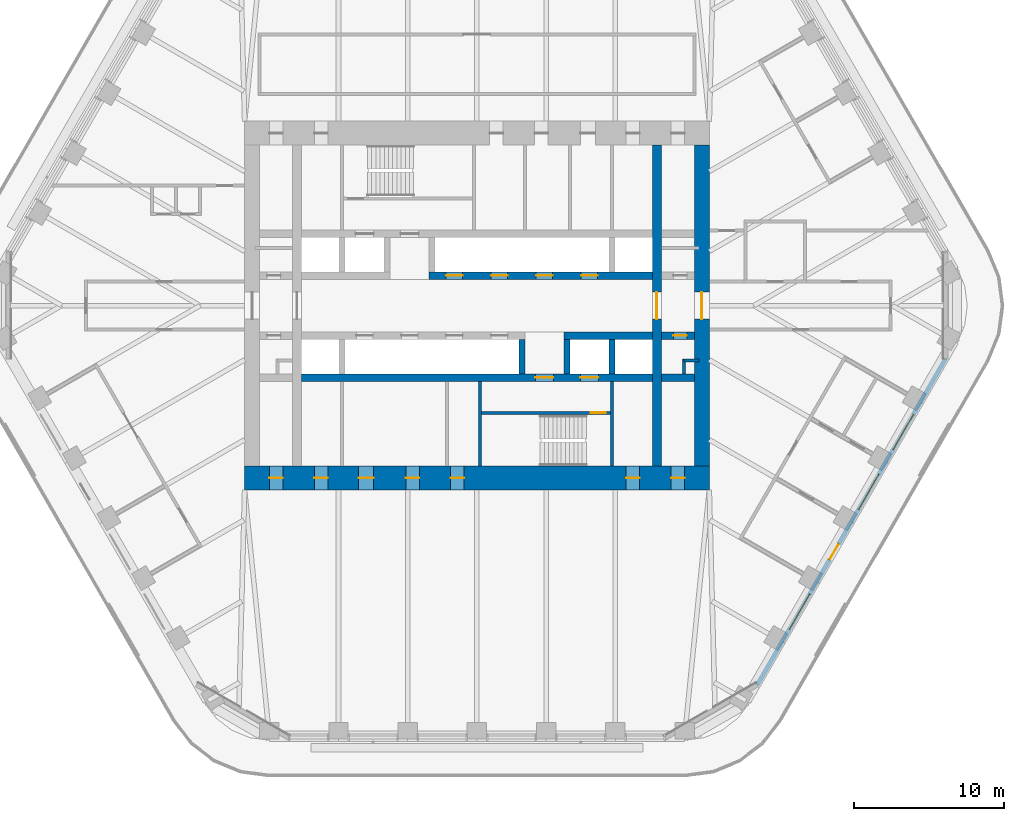
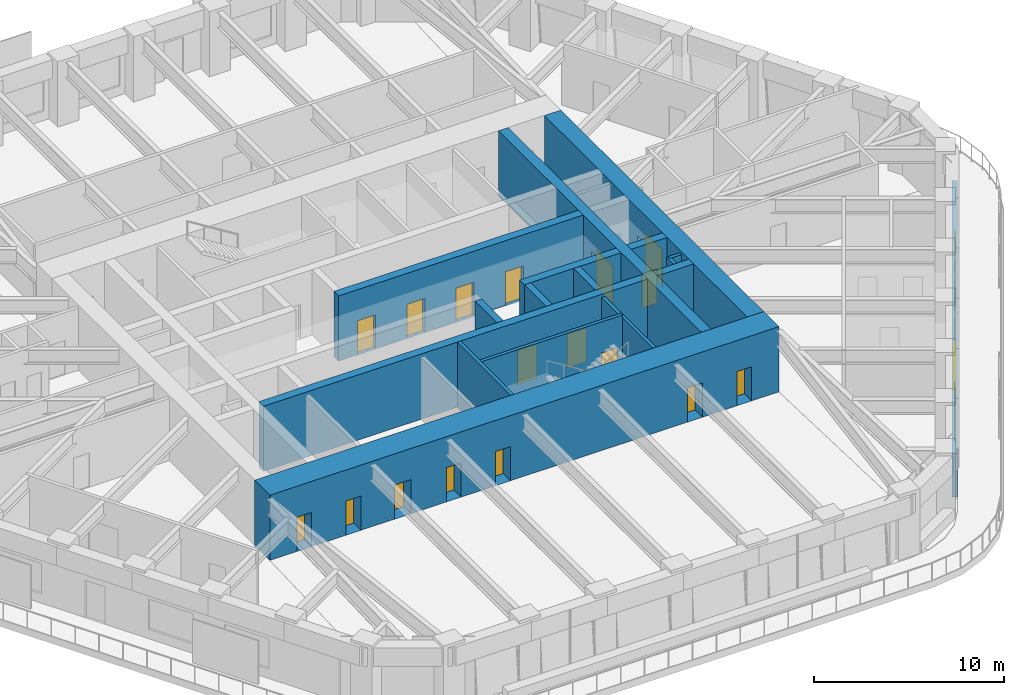
# One storey, part 15 of 20: 18 doors, 17 walls, 3 windows, 21 openings.
"""IFC4 building model written with IfcOpenShell, lengths in metres."""

from ifc_helpers import new_model, si_unit, direction, frame, frame_2d, origin, place, context, subcontext, project, spatial, rectangle, extrude, material, layer, layer_set, type_object, element, fill, save


model = new_model("IFC4")

# Units and contexts
model_context = context("Model", 3, precision=1e-05, world=origin(), true_north=direction((0.0, 1.0)))
body_context = subcontext(model_context, "Body", "Model", "MODEL_VIEW")
ifc_project = project(units=[si_unit("LENGTHUNIT", "METRE"), si_unit("AREAUNIT", "SQUARE_METRE"), si_unit("VOLUMEUNIT", "CUBIC_METRE"), si_unit("PLANEANGLEUNIT", "RADIAN"), si_unit("MASSUNIT", "GRAM", prefix="KILO")], contexts=[model_context])

# Site, building, storey
site_placement = place(None, origin())
site = spatial("IfcSite", under=ifc_project, at=site_placement, CompositionType="ELEMENT")
building_placement = place(site_placement, origin())
building = spatial("IfcBuilding", under=site, at=building_placement, Name="Tarfa Lantern Tower", CompositionType="ELEMENT")
storey_placement = place(building_placement, frame((0.0, 0.0, 249.10009765625)))
storey = spatial("IfcBuildingStorey", under=building, at=storey_placement, Name="L56", CompositionType="ELEMENT", Elevation=249.10009765625)

# Wall, openings, door, windows
ifc_material_1 = material(Name="Limestone cladding on blockwork", Category="masonry")
ifc_layer_1 = layer(ifc_material_1, 0.300048828125)
ifc_layer_set_1 = layer_set([ifc_layer_1], Name="EW1 STONE-CLAD WALL 300")
wall_type_1 = type_object("IfcWallType", Name="EW1 STONE-CLAD WALL 300", PredefinedType="SOLIDWALL", material=ifc_layer_set_1)
wall_1_placement = place(storey_placement, frame((18.70654296875, -25.299072265625, 0.0), z_axis=(0.0, 0.0, 1.0), x_axis=(0.500000442367, 0.866025148383, 0.0)))
wall_1 = element("IfcWall", 1, at=wall_1_placement, inside=storey, type_object=wall_type_1, Name="Stone wall SE", PredefinedType="SOLIDWALL", context=body_context, shape_type="SweptSolid", body=[
    extrude(rectangle(XDim=25.11279296875, YDim=0.300048828125, at=frame_2d((12.556396484375, 0.0))), origin(), (0.0, 0.0, 1.0), 2.7998046875),
])
opening_1_placement = place(wall_1_placement, frame((4.2783203125, 0.0, 0.60009765625)))
opening_1 = element("IfcOpeningElement", 2, at=opening_1_placement, cuts=wall_1, Name="Opening W14", PredefinedType="OPENING", context=body_context, shape_type="SweptSolid", body=[
    extrude(rectangle(XDim=2.699951171875, YDim=1.949951171875, at=frame_2d((1.35009765625, 0.97509765625))), frame((0.0, 0.159912109375, 0.0), z_axis=(0.0, -1.0, 0.0), x_axis=(1.0, 0.0, 0.0)), (0.0, 0.0, 1.0), 0.320068359375),
])
opening_2_placement = place(wall_1_placement, frame((9.64697265625, 0.0, 0.0)))
opening_2 = element("IfcOpeningElement", 3, at=opening_2_placement, cuts=wall_1, Name="Opening D48", PredefinedType="OPENING", context=body_context, shape_type="SweptSolid", body=[
    extrude(rectangle(XDim=1.199951171875, YDim=2.39990234375, at=frame_2d((0.60009765625, 1.199951171875))), frame((0.0, 0.159912109375, 0.0), z_axis=(0.0, -1.0, 0.0), x_axis=(1.0, 0.0, 0.0)), (0.0, 0.0, 1.0), 0.320068359375),
])
opening_3_placement = place(wall_1_placement, frame((13.515869140625, 0.0, 0.60009765625)))
opening_3 = element("IfcOpeningElement", 4, at=opening_3_placement, cuts=wall_1, Name="Opening W14", PredefinedType="OPENING", context=body_context, shape_type="SweptSolid", body=[
    extrude(rectangle(XDim=2.699951171875, YDim=1.949951171875, at=frame_2d((1.35009765625, 0.97509765625))), frame((0.0, 0.159912109375, 0.0), z_axis=(0.0, -1.0, 0.0), x_axis=(1.0, 0.0, 0.0)), (0.0, 0.0, 1.0), 0.320068359375),
])
opening_4_placement = place(wall_1_placement, frame((18.134521484375, 0.0, 0.60009765625)))
opening_4 = element("IfcOpeningElement", 5, at=opening_4_placement, cuts=wall_1, Name="Opening W14", PredefinedType="OPENING", context=body_context, shape_type="SweptSolid", body=[
    extrude(rectangle(XDim=2.699951171875, YDim=1.949951171875, at=frame_2d((1.35009765625, 0.97509765625))), frame((0.0, 0.159912109375, 0.0), z_axis=(0.0, -1.0, 0.0), x_axis=(1.0, 0.0, 0.0)), (0.0, 0.0, 1.0), 0.320068359375),
])
ifc_material_2 = material(Name="Aluminium framed glazed door", Category="aluminium")
door_type_1 = type_object("IfcDoorType", Name="BE3 BALCONY DOOR 1200x2400", OperationType="SINGLE_SWING_RIGHT", PredefinedType="DOOR", material=ifc_material_2)
door_1_placement = place(opening_2_placement, origin())
door_1 = element("IfcDoor", 6, at=door_1_placement, inside=storey, type_object=door_type_1, Name="Balcony door SE", OperationType="SINGLE_SWING_RIGHT", OverallHeight=2.39990234375, OverallWidth=1.199951171875, PredefinedType="DOOR", context=body_context, shape_type="SweptSolid", body=[
    extrude(rectangle(XDim=1.199951171875, YDim=2.39990234375, at=frame_2d((0.60009765625, 1.199951171875))), frame((0.0, 0.02490234375, 0.0), z_axis=(0.0, -1.0, 0.0), x_axis=(1.0, 0.0, 0.0)), (0.0, 0.0, 1.0), 0.050048828125),
])
fill(opening_2, door_1)
ifc_material_3 = material(Name="Aluminium frame, double glazed", Category="aluminium")
window_type = type_object("IfcWindowType", Name="W14 FULL-HEIGHT GLAZING 2700x1950", PartitioningType="SINGLE_PANEL", PredefinedType="WINDOW", material=ifc_material_3)
window_1_placement = place(opening_1_placement, origin())
window_1 = element("IfcWindow", 7, at=window_1_placement, inside=storey, type_object=window_type, Name="Window SE 2", OverallHeight=1.949951171875, OverallWidth=2.699951171875, PartitioningType="SINGLE_PANEL", PredefinedType="WINDOW", context=body_context, shape_type="SweptSolid", body=[
    extrude(rectangle(XDim=2.699951171875, YDim=1.949951171875, at=frame_2d((1.35009765625, 0.97509765625))), frame((0.0, 0.030029296875, 0.0), z_axis=(0.0, -1.0, 0.0), x_axis=(1.0, 0.0, 0.0)), (0.0, 0.0, 1.0), 0.06005859375),
])
fill(opening_1, window_1)
window_2_placement = place(opening_3_placement, origin())
window_2 = element("IfcWindow", 8, at=window_2_placement, inside=storey, type_object=window_type, Name="Window SE 4", OverallHeight=1.949951171875, OverallWidth=2.699951171875, PartitioningType="SINGLE_PANEL", PredefinedType="WINDOW", context=body_context, shape_type="SweptSolid", body=[
    extrude(rectangle(XDim=2.699951171875, YDim=1.949951171875, at=frame_2d((1.35009765625, 0.97509765625))), frame((0.0, 0.030029296875, 0.0), z_axis=(0.0, -1.0, 0.0), x_axis=(1.0, 0.0, 0.0)), (0.0, 0.0, 1.0), 0.06005859375),
])
fill(opening_3, window_2)
window_3_placement = place(opening_4_placement, origin())
window_3 = element("IfcWindow", 9, at=window_3_placement, inside=storey, type_object=window_type, Name="Window SE 5", OverallHeight=1.949951171875, OverallWidth=2.699951171875, PartitioningType="SINGLE_PANEL", PredefinedType="WINDOW", context=body_context, shape_type="SweptSolid", body=[
    extrude(rectangle(XDim=2.699951171875, YDim=1.949951171875, at=frame_2d((1.35009765625, 0.97509765625))), frame((0.0, 0.030029296875, 0.0), z_axis=(0.0, -1.0, 0.0), x_axis=(1.0, 0.0, 0.0)), (0.0, 0.0, 1.0), 0.06005859375),
])
fill(opening_4, window_3)

# Walls
ifc_material_4 = material(Name="Concrete blockwork", Category="masonry")
ifc_layer_2 = layer(ifc_material_4, 0.199951171875)
ifc_layer_set_2 = layer_set([ifc_layer_2], Name="IW1 BLOCKWORK PARTITION 200 EI 120")
wall_type_2 = type_object("IfcWallType", Name="IW1 BLOCKWORK PARTITION 200 EI 120", PredefinedType="PARTITIONING", material=ifc_layer_set_2)
wall_2_placement = place(storey_placement, frame((9.0, -5.050048828125, 0.0), z_axis=(0.0, 0.0, 1.0), x_axis=(0.0, -1.0, 0.0)))
element("IfcWall", 10, at=wall_2_placement, inside=storey, type_object=wall_type_2, Name="Core partition", PredefinedType="PARTITIONING", context=body_context, shape_type="SweptSolid", body=[
    extrude(rectangle(XDim=5.64990234375, YDim=0.199951171875, at=frame_2d((2.824951171875, 0.0))), origin(), (0.0, 0.0, 1.0), 4.0),
])
for number, where, z_axis, x_axis, name in (
    (11, (14.800048828125, -3.64990234375, 0.0), (0.0, 0.0, 1.0), (-1.0, 0.0, 0.0), "Core partition"),
    (12, (13.800048828125, -3.550048828125, 0.0), (0.0, 0.0, 1.0), (0.0, -1.0, 0.0), "Core partition"),
):
    element("IfcWall", number, at=place(storey_placement, frame(where, z_axis=z_axis, x_axis=x_axis)), inside=storey, type_object=wall_type_2, Name=name, PredefinedType="PARTITIONING", context=body_context, shape_type="SweptSolid", body=[
        extrude(rectangle(XDim=1.0, YDim=0.199951171875, at=frame_2d((0.5, 0.0))), origin(), (0.0, 0.0, 1.0), 4.0),
    ])
ifc_material_5 = material(Name="Concrete C80/95", Category="concrete")
ifc_layer_3 = layer(ifc_material_5, 0.199951171875)
ifc_layer_set_3 = layer_set([ifc_layer_3], Name="SW12 CORE WALL 200")
wall_type_3 = type_object("IfcWallType", Name="SW12 CORE WALL 200", PredefinedType="SHEAR", material=ifc_layer_set_3)
wall_3_placement = place(storey_placement, frame((0.199951171875, -5.050048828125, 0.0), z_axis=(0.0, 0.0, 1.0), x_axis=(0.0, -1.0, 0.0)))
element("IfcWall", 13, at=wall_3_placement, inside=storey, type_object=wall_type_3, Name="Core wall stair shaft S", PredefinedType="SHEAR", context=body_context, shape_type="SweptSolid", body=[
    extrude(rectangle(XDim=5.64990234375, YDim=0.199951171875, at=frame_2d((2.824951171875, 0.0))), origin(), (0.0, 0.0, 1.0), 4.199951171875),
])

# Wall, opening, door
wall_4_placement = place(storey_placement, frame((8.89990234375, -7.14990234375, 0.0), z_axis=(0.0, 0.0, 1.0), x_axis=(-1.0, 0.0, 0.0)))
wall_4 = element("IfcWall", 14, at=wall_4_placement, inside=storey, type_object=wall_type_3, Name="Core wall stair partition S", PredefinedType="SHEAR", context=body_context, shape_type="SweptSolid", body=[
    extrude(rectangle(XDim=8.599853515625, YDim=0.199951171875, at=frame_2d((4.2998046875, 0.0))), origin(), (0.0, 0.0, 1.0), 4.199951171875),
])
opening_5_placement = place(wall_4_placement, frame((0.300048828125, 0.0, 0.0)))
opening_5 = element("IfcOpeningElement", 15, at=opening_5_placement, cuts=wall_4, Name="Opening D24", PredefinedType="OPENING", context=body_context, shape_type="SweptSolid", body=[
    extrude(rectangle(XDim=1.0, YDim=2.199951171875, at=frame_2d((0.5, 1.10009765625))), frame((0.0, 0.10986328125, 0.0), z_axis=(0.0, -1.0, 0.0), x_axis=(1.0, 0.0, 0.0)), (0.0, 0.0, 1.0), 0.219970703125),
])
ifc_material_6 = material(Name="Steel fire door", Category="steel")
door_type_2 = type_object("IfcDoorType", Name="DF2 STAIR DOOR 1000x2200", OperationType="SINGLE_SWING_LEFT", PredefinedType="DOOR", material=ifc_material_6)
door_2_placement = place(opening_5_placement, origin())
door_2 = element("IfcDoor", 16, at=door_2_placement, inside=storey, type_object=door_type_2, Name="Stair door", OperationType="SINGLE_SWING_RIGHT", OverallHeight=2.199951171875, OverallWidth=1.0, PredefinedType="DOOR", context=body_context, shape_type="SweptSolid", body=[
    extrude(rectangle(XDim=1.0, YDim=2.199951171875, at=frame_2d((0.5, 1.10009765625))), frame((0.0, 0.02490234375, 0.0), z_axis=(0.0, -1.0, 0.0), x_axis=(1.0, 0.0, 0.0)), (0.0, 0.0, 1.0), 0.050048828125),
])
fill(opening_5, door_2)

ifc_layer_4 = layer(ifc_material_5, 1.0)
ifc_layer_set_4 = layer_set([ifc_layer_4], Name="SW2 CORE WALL 1000")
wall_type_4 = type_object("IfcWallType", Name="SW2 CORE WALL 1000", PredefinedType="SHEAR", material=ifc_layer_set_4)
wall_5_placement = place(storey_placement, frame((15.0, -10.699951171875, 0.0), z_axis=(0.0, 0.0, 1.0), x_axis=(0.0, 1.0, 0.0)))
wall_5 = element("IfcWall", 17, at=wall_5_placement, inside=storey, type_object=wall_type_4, Name="Core wall E", PredefinedType="SHEAR", context=body_context, shape_type="SweptSolid", body=[
    extrude(rectangle(XDim=21.39990234375, YDim=1.0, at=frame_2d((10.699951171875, 0.0))), origin(), (0.0, 0.0, 1.0), 4.199951171875),
])
opening_6_placement = place(wall_5_placement, frame((9.800048828125, 0.0, 0.0)))
opening_6 = element("IfcOpeningElement", 18, at=opening_6_placement, cuts=wall_5, Name="Opening D11", PredefinedType="OPENING", context=body_context, shape_type="SweptSolid", body=[
    extrude(rectangle(XDim=1.800048828125, YDim=2.39990234375, at=frame_2d((0.89990234375, 1.199951171875))), frame((0.0, 0.510009765625, 0.0), z_axis=(0.0, -1.0, 0.0), x_axis=(1.0, 0.0, 0.0)), (0.0, 0.0, 1.0), 1.02001953125),
])
door_type_3 = type_object("IfcDoorType", Name="DL1 LOBBY DOOR 1800x2400", OperationType="DOUBLE_DOOR_SINGLE_SWING", PredefinedType="DOOR", material=ifc_material_6)
door_3_placement = place(opening_6_placement, frame((1.800048828125, 0.0, 0.0), z_axis=(0.0, 0.0, 1.0), x_axis=(-1.0, 0.0, 0.0)))
door_3 = element("IfcDoor", 19, at=door_3_placement, inside=storey, type_object=door_type_3, Name="Lift lobby door", OperationType="DOUBLE_DOOR_SINGLE_SWING", OverallHeight=2.39990234375, OverallWidth=1.800048828125, PredefinedType="DOOR", context=body_context, shape_type="SweptSolid", body=[
    extrude(rectangle(XDim=1.800048828125, YDim=2.39990234375, at=frame_2d((0.89990234375, 1.199951171875))), frame((0.0, 0.02490234375, 0.0), z_axis=(0.0, -1.0, 0.0), x_axis=(1.0, 0.0, 0.0)), (0.0, 0.0, 1.0), 0.050048828125),
])
fill(opening_6, door_3)

# Wall, openings, doors
ifc_layer_5 = layer(ifc_material_5, 0.5)
ifc_layer_set_5 = layer_set([ifc_layer_5], Name="SW5 CORE WALL 500")
wall_type_5 = type_object("IfcWallType", Name="SW5 CORE WALL 500", PredefinedType="SHEAR", material=ifc_layer_set_5)
wall_6_placement = place(storey_placement, frame((-3.199951171875, 2.0, 0.0), z_axis=(0.0, 0.0, 1.0), x_axis=(1.0, 0.0, 0.0)))
wall_6 = element("IfcWall", 20, at=wall_6_placement, inside=storey, type_object=wall_type_5, Name="Core wall lobby east N", PredefinedType="SHEAR", context=body_context, shape_type="SweptSolid", body=[
    extrude(rectangle(XDim=14.89990234375, YDim=0.5, at=frame_2d((7.449951171875, 0.0))), origin(), (0.0, 0.0, 1.0), 4.199951171875),
])
opening_7_placement = place(wall_6_placement, frame((1.14990234375, 0.0, 0.0)))
opening_7 = element("IfcOpeningElement", 21, at=opening_7_placement, cuts=wall_6, Name="Opening LD03", PredefinedType="OPENING", context=body_context, shape_type="SweptSolid", body=[
    extrude(rectangle(XDim=1.10009765625, YDim=2.199951171875, at=frame_2d((0.550048828125, 1.10009765625))), frame((0.0, 0.260009765625, 0.0), z_axis=(0.0, -1.0, 0.0), x_axis=(1.0, 0.0, 0.0)), (0.0, 0.0, 1.0), 0.52001953125),
])
opening_8_placement = place(wall_6_placement, frame((4.14990234375, 0.0, 0.0)))
opening_8 = element("IfcOpeningElement", 22, at=opening_8_placement, cuts=wall_6, Name="Opening LD04", PredefinedType="OPENING", context=body_context, shape_type="SweptSolid", body=[
    extrude(rectangle(XDim=1.10009765625, YDim=2.199951171875, at=frame_2d((0.550048828125, 1.10009765625))), frame((0.0, 0.260009765625, 0.0), z_axis=(0.0, -1.0, 0.0), x_axis=(1.0, 0.0, 0.0)), (0.0, 0.0, 1.0), 0.52001953125),
])
opening_9_placement = place(wall_6_placement, frame((7.14990234375, 0.0, 0.0)))
opening_9 = element("IfcOpeningElement", 23, at=opening_9_placement, cuts=wall_6, Name="Opening LD05", PredefinedType="OPENING", context=body_context, shape_type="SweptSolid", body=[
    extrude(rectangle(XDim=1.10009765625, YDim=2.199951171875, at=frame_2d((0.550048828125, 1.10009765625))), frame((0.0, 0.260009765625, 0.0), z_axis=(0.0, -1.0, 0.0), x_axis=(1.0, 0.0, 0.0)), (0.0, 0.0, 1.0), 0.52001953125),
])
opening_10_placement = place(wall_6_placement, frame((10.14990234375, 0.0, 0.0)))
opening_10 = element("IfcOpeningElement", 24, at=opening_10_placement, cuts=wall_6, Name="Opening LD06", PredefinedType="OPENING", context=body_context, shape_type="SweptSolid", body=[
    extrude(rectangle(XDim=1.10009765625, YDim=2.199951171875, at=frame_2d((0.550048828125, 1.10009765625))), frame((0.0, 0.260009765625, 0.0), z_axis=(0.0, -1.0, 0.0), x_axis=(1.0, 0.0, 0.0)), (0.0, 0.0, 1.0), 0.52001953125),
])
ifc_material_7 = material(Name="Stainless steel lift door", Category="steel")
door_type_4 = type_object("IfcDoorType", Name="LD2 LIFT LANDING DOOR 1100x2200", OperationType="SLIDING_TO_LEFT", PredefinedType="DOOR", material=ifc_material_7)
door_4_placement = place(opening_7_placement, frame((1.10009765625, 0.0, 0.0), z_axis=(0.0, 0.0, 1.0), x_axis=(-1.0, 0.0, 0.0)))
door_4 = element("IfcDoor", 25, at=door_4_placement, inside=storey, type_object=door_type_4, Name="Landing door PC1", OperationType="SLIDING_TO_LEFT", OverallHeight=2.199951171875, OverallWidth=1.10009765625, PredefinedType="DOOR", context=body_context, shape_type="SweptSolid", body=[
    extrude(rectangle(XDim=1.10009765625, YDim=2.199951171875, at=frame_2d((0.550048828125, 1.10009765625))), frame((0.0, 0.02490234375, 0.0), z_axis=(0.0, -1.0, 0.0), x_axis=(1.0, 0.0, 0.0)), (0.0, 0.0, 1.0), 0.050048828125),
])
fill(opening_7, door_4)
door_5_placement = place(opening_8_placement, frame((1.10009765625, 0.0, 0.0), z_axis=(0.0, 0.0, 1.0), x_axis=(-1.0, 0.0, 0.0)))
door_5 = element("IfcDoor", 26, at=door_5_placement, inside=storey, type_object=door_type_4, Name="Landing door PC2", OperationType="SLIDING_TO_LEFT", OverallHeight=2.199951171875, OverallWidth=1.10009765625, PredefinedType="DOOR", context=body_context, shape_type="SweptSolid", body=[
    extrude(rectangle(XDim=1.10009765625, YDim=2.199951171875, at=frame_2d((0.550048828125, 1.10009765625))), frame((0.0, 0.02490234375, 0.0), z_axis=(0.0, -1.0, 0.0), x_axis=(1.0, 0.0, 0.0)), (0.0, 0.0, 1.0), 0.050048828125),
])
fill(opening_8, door_5)
door_6_placement = place(opening_9_placement, frame((1.10009765625, 0.0, 0.0), z_axis=(0.0, 0.0, 1.0), x_axis=(-1.0, 0.0, 0.0)))
door_6 = element("IfcDoor", 27, at=door_6_placement, inside=storey, type_object=door_type_4, Name="Landing door PC3", OperationType="SLIDING_TO_LEFT", OverallHeight=2.199951171875, OverallWidth=1.10009765625, PredefinedType="DOOR", context=body_context, shape_type="SweptSolid", body=[
    extrude(rectangle(XDim=1.10009765625, YDim=2.199951171875, at=frame_2d((0.550048828125, 1.10009765625))), frame((0.0, 0.02490234375, 0.0), z_axis=(0.0, -1.0, 0.0), x_axis=(1.0, 0.0, 0.0)), (0.0, 0.0, 1.0), 0.050048828125),
])
fill(opening_9, door_6)
door_7_placement = place(opening_10_placement, frame((1.10009765625, 0.0, 0.0), z_axis=(0.0, 0.0, 1.0), x_axis=(-1.0, 0.0, 0.0)))
door_7 = element("IfcDoor", 28, at=door_7_placement, inside=storey, type_object=door_type_4, Name="Landing door PC4", OperationType="SLIDING_TO_LEFT", OverallHeight=2.199951171875, OverallWidth=1.10009765625, PredefinedType="DOOR", context=body_context, shape_type="SweptSolid", body=[
    extrude(rectangle(XDim=1.10009765625, YDim=2.199951171875, at=frame_2d((0.550048828125, 1.10009765625))), frame((0.0, 0.02490234375, 0.0), z_axis=(0.0, -1.0, 0.0), x_axis=(1.0, 0.0, 0.0)), (0.0, 0.0, 1.0), 0.050048828125),
])
fill(opening_10, door_7)

# Wall, opening, door
wall_7_placement = place(storey_placement, frame((14.5, -2.0, 0.0), z_axis=(0.0, 0.0, 1.0), x_axis=(-1.0, 0.0, 0.0)))
wall_7 = element("IfcWall", 29, at=wall_7_placement, inside=storey, type_object=wall_type_5, Name="Core wall lobby west S", PredefinedType="SHEAR", context=body_context, shape_type="SweptSolid", body=[
    extrude(rectangle(XDim=2.199951171875, YDim=0.5, at=frame_2d((1.10009765625, 0.0))), origin(), (0.0, 0.0, 1.0), 4.199951171875),
])
opening_11_placement = place(wall_7_placement, frame((0.5, 0.0, 0.0)))
opening_11 = element("IfcOpeningElement", 30, at=opening_11_placement, cuts=wall_7, Name="Opening D16", PredefinedType="OPENING", context=body_context, shape_type="SweptSolid", body=[
    extrude(rectangle(XDim=0.89990234375, YDim=2.199951171875, at=frame_2d((0.449951171875, 1.10009765625))), frame((0.0, 0.260009765625, 0.0), z_axis=(0.0, -1.0, 0.0), x_axis=(1.0, 0.0, 0.0)), (0.0, 0.0, 1.0), 0.52001953125),
])
door_type_5 = type_object("IfcDoorType", Name="DF6 SERVICE ROOM DOOR 900x2200", OperationType="SINGLE_SWING_LEFT", PredefinedType="DOOR", material=ifc_material_6)
door_8_placement = place(opening_11_placement, origin())
door_8 = element("IfcDoor", 31, at=door_8_placement, inside=storey, type_object=door_type_5, Name="Service room door", OperationType="SINGLE_SWING_RIGHT", OverallHeight=2.199951171875, OverallWidth=0.89990234375, PredefinedType="DOOR", context=body_context, shape_type="SweptSolid", body=[
    extrude(rectangle(XDim=0.89990234375, YDim=2.199951171875, at=frame_2d((0.449951171875, 1.10009765625))), frame((0.0, 0.02490234375, 0.0), z_axis=(0.0, -1.0, 0.0), x_axis=(1.0, 0.0, 0.0)), (0.0, 0.0, 1.0), 0.050048828125),
])
fill(opening_11, door_8)

# Walls
wall_8_placement = place(storey_placement, frame((11.699951171875, -2.0, 0.0), z_axis=(0.0, 0.0, 1.0), x_axis=(-1.0, 0.0, 0.0)))
element("IfcWall", 32, at=wall_8_placement, inside=storey, type_object=wall_type_5, Name="Core wall lobby west S", PredefinedType="SHEAR", context=body_context, shape_type="SweptSolid", body=[
    extrude(rectangle(XDim=5.89990234375, YDim=0.5, at=frame_2d((2.949951171875, 0.0))), origin(), (0.0, 0.0, 1.0), 4.199951171875),
])
wall_9_placement = place(storey_placement, frame((14.5, -4.800048828125, 0.0), z_axis=(0.0, 0.0, 1.0), x_axis=(-1.0, 0.0, 0.0)))
element("IfcWall", 33, at=wall_9_placement, inside=storey, type_object=wall_type_5, Name="Core wall rear S", PredefinedType="SHEAR", context=body_context, shape_type="SweptSolid", body=[
    extrude(rectangle(XDim=2.199951171875, YDim=0.5, at=frame_2d((1.10009765625, 0.0))), origin(), (0.0, 0.0, 1.0), 4.199951171875),
])

# Wall, openings, doors
wall_10_placement = place(storey_placement, frame((11.699951171875, -4.800048828125, 0.0), z_axis=(0.0, 0.0, 1.0), x_axis=(-1.0, 0.0, 0.0)))
wall_10 = element("IfcWall", 34, at=wall_10_placement, inside=storey, type_object=wall_type_5, Name="Core wall rear S", PredefinedType="SHEAR", context=body_context, shape_type="SweptSolid", body=[
    extrude(rectangle(XDim=23.39990234375, YDim=0.5, at=frame_2d((11.699951171875, 0.0))), origin(), (0.0, 0.0, 1.0), 4.199951171875),
])
opening_12_placement = place(wall_10_placement, frame((6.60009765625, 0.0, 0.0)))
opening_12 = element("IfcOpeningElement", 35, at=opening_12_placement, cuts=wall_10, Name="Opening D10", PredefinedType="OPENING", context=body_context, shape_type="SweptSolid", body=[
    extrude(rectangle(XDim=1.199951171875, YDim=2.199951171875, at=frame_2d((0.60009765625, 1.10009765625))), frame((0.0, 0.260009765625, 0.0), z_axis=(0.0, -1.0, 0.0), x_axis=(1.0, 0.0, 0.0)), (0.0, 0.0, 1.0), 0.52001953125),
])
opening_13_placement = place(wall_10_placement, frame((3.60009765625, 0.0, 0.0)))
opening_13 = element("IfcOpeningElement", 36, at=opening_13_placement, cuts=wall_10, Name="Opening LD02", PredefinedType="OPENING", context=body_context, shape_type="SweptSolid", body=[
    extrude(rectangle(XDim=1.199951171875, YDim=2.199951171875, at=frame_2d((0.60009765625, 1.10009765625))), frame((0.0, 0.260009765625, 0.0), z_axis=(0.0, -1.0, 0.0), x_axis=(1.0, 0.0, 0.0)), (0.0, 0.0, 1.0), 0.52001953125),
])
door_type_6 = type_object("IfcDoorType", Name="DF1 FIREFIGHTING LOBBY DOOR 1200x2200", OperationType="SINGLE_SWING_LEFT", PredefinedType="DOOR", material=ifc_material_6)
door_9_placement = place(opening_12_placement, origin())
door_9 = element("IfcDoor", 37, at=door_9_placement, inside=storey, type_object=door_type_6, Name="Firefighting lobby door", OperationType="SINGLE_SWING_LEFT", OverallHeight=2.199951171875, OverallWidth=1.199951171875, PredefinedType="DOOR", context=body_context, shape_type="SweptSolid", body=[
    extrude(rectangle(XDim=1.199951171875, YDim=2.199951171875, at=frame_2d((0.60009765625, 1.10009765625))), frame((0.0, 0.02490234375, 0.0), z_axis=(0.0, -1.0, 0.0), x_axis=(1.0, 0.0, 0.0)), (0.0, 0.0, 1.0), 0.050048828125),
])
fill(opening_12, door_9)
door_type_7 = type_object("IfcDoorType", Name="LD1 LIFT LANDING DOOR 1200x2200", OperationType="SLIDING_TO_LEFT", PredefinedType="DOOR", material=ifc_material_7)
door_10_placement = place(opening_13_placement, origin())
door_10 = element("IfcDoor", 38, at=door_10_placement, inside=storey, type_object=door_type_7, Name="Landing door FL2", OperationType="SLIDING_TO_LEFT", OverallHeight=2.199951171875, OverallWidth=1.199951171875, PredefinedType="DOOR", context=body_context, shape_type="SweptSolid", body=[
    extrude(rectangle(XDim=1.199951171875, YDim=2.199951171875, at=frame_2d((0.60009765625, 1.10009765625))), frame((0.0, 0.02490234375, 0.0), z_axis=(0.0, -1.0, 0.0), x_axis=(1.0, 0.0, 0.0)), (0.0, 0.0, 1.0), 0.050048828125),
])
fill(opening_13, door_10)

# Walls
ifc_layer_6 = layer(ifc_material_5, 0.39990234375)
ifc_layer_set_6 = layer_set([ifc_layer_6], Name="SW6 CORE WALL 400")
wall_type_6 = type_object("IfcWallType", Name="SW6 CORE WALL 400", PredefinedType="SHEAR", material=ifc_layer_set_6)
for number, where, z_axis, x_axis, name in (
    (39, (9.0, -2.25, 0.0), (0.0, 0.0, 1.0), (0.0, -1.0, 0.0), "Core wall divider S"),
    (40, (6.0, -2.25, 0.0), (0.0, 0.0, 1.0), (0.0, -1.0, 0.0), "Core wall divider S"),
    (41, (3.0, -2.25, 0.0), (0.0, 0.0, 1.0), (0.0, -1.0, 0.0), "Core wall divider S"),
):
    element("IfcWall", number, at=place(storey_placement, frame(where, z_axis=z_axis, x_axis=x_axis)), inside=storey, type_object=wall_type_6, Name=name, PredefinedType="SHEAR", context=body_context, shape_type="SweptSolid", body=[
        extrude(rectangle(XDim=2.300048828125, YDim=0.39990234375, at=frame_2d((1.14990234375, 0.0))), origin(), (0.0, 0.0, 1.0), 4.199951171875),
    ])

# Wall, openings, doors
ifc_layer_7 = layer(ifc_material_5, 1.60009765625)
ifc_layer_set_7 = layer_set([ifc_layer_7], Name="SW7 CORE WALL 1600")
wall_type_7 = type_object("IfcWallType", Name="SW7 CORE WALL 1600", PredefinedType="SHEAR", material=ifc_layer_set_7)
wall_11_placement = place(storey_placement, frame((15.5, -11.5, 0.0), z_axis=(0.0, 0.0, 1.0), x_axis=(-1.0, 0.0, 0.0)))
wall_11 = element("IfcWall", 42, at=wall_11_placement, inside=storey, type_object=wall_type_7, Name="Core wall S", PredefinedType="SHEAR", context=body_context, shape_type="SweptSolid", body=[
    extrude(rectangle(XDim=31.0, YDim=1.60009765625, at=frame_2d((15.5, 0.0))), origin(), (0.0, 0.0, 1.0), 4.199951171875),
])
opening_14_placement = place(wall_11_placement, frame((16.35009765625, 0.0, 0.0)))
opening_14 = element("IfcOpeningElement", 43, at=opening_14_placement, cuts=wall_11, Name="Opening D18", PredefinedType="OPENING", context=body_context, shape_type="SweptSolid", body=[
    extrude(rectangle(XDim=0.89990234375, YDim=2.199951171875, at=frame_2d((0.449951171875, 1.10009765625))), frame((0.0, 0.81005859375, 0.0), z_axis=(0.0, -1.0, 0.0), x_axis=(1.0, 0.0, 0.0)), (0.0, 0.0, 1.0), 1.6201171875),
])
opening_15_placement = place(wall_11_placement, frame((19.35009765625, 0.0, 0.0)))
opening_15 = element("IfcOpeningElement", 44, at=opening_15_placement, cuts=wall_11, Name="Opening D20", PredefinedType="OPENING", context=body_context, shape_type="SweptSolid", body=[
    extrude(rectangle(XDim=0.89990234375, YDim=2.199951171875, at=frame_2d((0.449951171875, 1.10009765625))), frame((0.0, 0.81005859375, 0.0), z_axis=(0.0, -1.0, 0.0), x_axis=(1.0, 0.0, 0.0)), (0.0, 0.0, 1.0), 1.6201171875),
])
opening_16_placement = place(wall_11_placement, frame((22.39990234375, 0.0, 0.0)))
opening_16 = element("IfcOpeningElement", 45, at=opening_16_placement, cuts=wall_11, Name="Opening D22", PredefinedType="OPENING", context=body_context, shape_type="SweptSolid", body=[
    extrude(rectangle(XDim=1.0, YDim=2.199951171875, at=frame_2d((0.5, 1.10009765625))), frame((0.0, 0.81005859375, 0.0), z_axis=(0.0, -1.0, 0.0), x_axis=(1.0, 0.0, 0.0)), (0.0, 0.0, 1.0), 1.6201171875),
])
opening_17_placement = place(wall_11_placement, frame((1.64990234375, 0.0, 0.0)))
opening_17 = element("IfcOpeningElement", 46, at=opening_17_placement, cuts=wall_11, Name="Opening D08", PredefinedType="OPENING", context=body_context, shape_type="SweptSolid", body=[
    extrude(rectangle(XDim=0.89990234375, YDim=2.199951171875, at=frame_2d((0.449951171875, 1.10009765625))), frame((0.0, 0.81005859375, 0.0), z_axis=(0.0, -1.0, 0.0), x_axis=(1.0, 0.0, 0.0)), (0.0, 0.0, 1.0), 1.6201171875),
])
opening_18_placement = place(wall_11_placement, frame((4.64990234375, 0.0, 0.0)))
opening_18 = element("IfcOpeningElement", 47, at=opening_18_placement, cuts=wall_11, Name="Opening D06", PredefinedType="OPENING", context=body_context, shape_type="SweptSolid", body=[
    extrude(rectangle(XDim=0.89990234375, YDim=2.199951171875, at=frame_2d((0.449951171875, 1.10009765625))), frame((0.0, 0.81005859375, 0.0), z_axis=(0.0, -1.0, 0.0), x_axis=(1.0, 0.0, 0.0)), (0.0, 0.0, 1.0), 1.6201171875),
])
opening_19_placement = place(wall_11_placement, frame((25.449951171875, 0.0, 0.0)))
opening_19 = element("IfcOpeningElement", 48, at=opening_19_placement, cuts=wall_11, Name="Opening D04", PredefinedType="OPENING", context=body_context, shape_type="SweptSolid", body=[
    extrude(rectangle(XDim=0.89990234375, YDim=2.199951171875, at=frame_2d((0.449951171875, 1.10009765625))), frame((0.0, 0.81005859375, 0.0), z_axis=(0.0, -1.0, 0.0), x_axis=(1.0, 0.0, 0.0)), (0.0, 0.0, 1.0), 1.6201171875),
])
opening_20_placement = place(wall_11_placement, frame((28.449951171875, 0.0, 0.0)))
opening_20 = element("IfcOpeningElement", 49, at=opening_20_placement, cuts=wall_11, Name="Opening D02", PredefinedType="OPENING", context=body_context, shape_type="SweptSolid", body=[
    extrude(rectangle(XDim=0.89990234375, YDim=2.199951171875, at=frame_2d((0.449951171875, 1.10009765625))), frame((0.0, 0.81005859375, 0.0), z_axis=(0.0, -1.0, 0.0), x_axis=(1.0, 0.0, 0.0)), (0.0, 0.0, 1.0), 1.6201171875),
])
door_type_8 = type_object("IfcDoorType", Name="DF3 CORE ROOM DOOR 900x2200", OperationType="SINGLE_SWING_LEFT", PredefinedType="DOOR", material=ifc_material_6)
door_11_placement = place(opening_14_placement, frame((0.89990234375, 0.0, 0.0), z_axis=(0.0, 0.0, 1.0), x_axis=(-1.0, 0.0, 0.0)))
door_11 = element("IfcDoor", 50, at=door_11_placement, inside=storey, type_object=door_type_8, Name="Core door", OperationType="SINGLE_SWING_RIGHT", OverallHeight=2.199951171875, OverallWidth=0.89990234375, PredefinedType="DOOR", context=body_context, shape_type="SweptSolid", body=[
    extrude(rectangle(XDim=0.89990234375, YDim=2.199951171875, at=frame_2d((0.449951171875, 1.10009765625))), frame((0.0, 0.02490234375, 0.0), z_axis=(0.0, -1.0, 0.0), x_axis=(1.0, 0.0, 0.0)), (0.0, 0.0, 1.0), 0.050048828125),
])
fill(opening_14, door_11)
door_12_placement = place(opening_15_placement, frame((0.89990234375, 0.0, 0.0), z_axis=(0.0, 0.0, 1.0), x_axis=(-1.0, 0.0, 0.0)))
door_12 = element("IfcDoor", 51, at=door_12_placement, inside=storey, type_object=door_type_8, Name="Core door", OperationType="SINGLE_SWING_LEFT", OverallHeight=2.199951171875, OverallWidth=0.89990234375, PredefinedType="DOOR", context=body_context, shape_type="SweptSolid", body=[
    extrude(rectangle(XDim=0.89990234375, YDim=2.199951171875, at=frame_2d((0.449951171875, 1.10009765625))), frame((0.0, 0.02490234375, 0.0), z_axis=(0.0, -1.0, 0.0), x_axis=(1.0, 0.0, 0.0)), (0.0, 0.0, 1.0), 0.050048828125),
])
fill(opening_15, door_12)
door_type_9 = type_object("IfcDoorType", Name="DF4 CORE ROOM DOOR 1000x2200", OperationType="SINGLE_SWING_LEFT", PredefinedType="DOOR", material=ifc_material_6)
door_13_placement = place(opening_16_placement, frame((1.0, 0.0, 0.0), z_axis=(0.0, 0.0, 1.0), x_axis=(-1.0, 0.0, 0.0)))
door_13 = element("IfcDoor", 52, at=door_13_placement, inside=storey, type_object=door_type_9, Name="Core door", OperationType="SINGLE_SWING_RIGHT", OverallHeight=2.199951171875, OverallWidth=1.0, PredefinedType="DOOR", context=body_context, shape_type="SweptSolid", body=[
    extrude(rectangle(XDim=1.0, YDim=2.199951171875, at=frame_2d((0.5, 1.10009765625))), frame((0.0, 0.02490234375, 0.0), z_axis=(0.0, -1.0, 0.0), x_axis=(1.0, 0.0, 0.0)), (0.0, 0.0, 1.0), 0.050048828125),
])
fill(opening_16, door_13)
door_type_10 = type_object("IfcDoorType", Name="DF5 RISER DOOR 900x2200", OperationType="SINGLE_SWING_LEFT", PredefinedType="DOOR", material=ifc_material_6)
door_14_placement = place(opening_17_placement, frame((0.89990234375, 0.0, 0.0), z_axis=(0.0, 0.0, 1.0), x_axis=(-1.0, 0.0, 0.0)))
door_14 = element("IfcDoor", 53, at=door_14_placement, inside=storey, type_object=door_type_10, Name="Riser door", OperationType="SINGLE_SWING_LEFT", OverallHeight=2.199951171875, OverallWidth=0.89990234375, PredefinedType="DOOR", context=body_context, shape_type="SweptSolid", body=[
    extrude(rectangle(XDim=0.89990234375, YDim=2.199951171875, at=frame_2d((0.449951171875, 1.10009765625))), frame((0.0, 0.02490234375, 0.0), z_axis=(0.0, -1.0, 0.0), x_axis=(1.0, 0.0, 0.0)), (0.0, 0.0, 1.0), 0.050048828125),
])
fill(opening_17, door_14)
door_15_placement = place(opening_18_placement, frame((0.89990234375, 0.0, 0.0), z_axis=(0.0, 0.0, 1.0), x_axis=(-1.0, 0.0, 0.0)))
door_15 = element("IfcDoor", 54, at=door_15_placement, inside=storey, type_object=door_type_10, Name="Riser door", OperationType="SINGLE_SWING_LEFT", OverallHeight=2.199951171875, OverallWidth=0.89990234375, PredefinedType="DOOR", context=body_context, shape_type="SweptSolid", body=[
    extrude(rectangle(XDim=0.89990234375, YDim=2.199951171875, at=frame_2d((0.449951171875, 1.10009765625))), frame((0.0, 0.02490234375, 0.0), z_axis=(0.0, -1.0, 0.0), x_axis=(1.0, 0.0, 0.0)), (0.0, 0.0, 1.0), 0.050048828125),
])
fill(opening_18, door_15)
door_16_placement = place(opening_19_placement, frame((0.89990234375, 0.0, 0.0), z_axis=(0.0, 0.0, 1.0), x_axis=(-1.0, 0.0, 0.0)))
door_16 = element("IfcDoor", 55, at=door_16_placement, inside=storey, type_object=door_type_10, Name="Riser door", OperationType="SINGLE_SWING_RIGHT", OverallHeight=2.199951171875, OverallWidth=0.89990234375, PredefinedType="DOOR", context=body_context, shape_type="SweptSolid", body=[
    extrude(rectangle(XDim=0.89990234375, YDim=2.199951171875, at=frame_2d((0.449951171875, 1.10009765625))), frame((0.0, 0.02490234375, 0.0), z_axis=(0.0, -1.0, 0.0), x_axis=(1.0, 0.0, 0.0)), (0.0, 0.0, 1.0), 0.050048828125),
])
fill(opening_19, door_16)
door_17_placement = place(opening_20_placement, frame((0.89990234375, 0.0, 0.0), z_axis=(0.0, 0.0, 1.0), x_axis=(-1.0, 0.0, 0.0)))
door_17 = element("IfcDoor", 56, at=door_17_placement, inside=storey, type_object=door_type_10, Name="Riser door", OperationType="SINGLE_SWING_RIGHT", OverallHeight=2.199951171875, OverallWidth=0.89990234375, PredefinedType="DOOR", context=body_context, shape_type="SweptSolid", body=[
    extrude(rectangle(XDim=0.89990234375, YDim=2.199951171875, at=frame_2d((0.449951171875, 1.10009765625))), frame((0.0, 0.02490234375, 0.0), z_axis=(0.0, -1.0, 0.0), x_axis=(1.0, 0.0, 0.0)), (0.0, 0.0, 1.0), 0.050048828125),
])
fill(opening_20, door_17)

# Wall, opening, door
ifc_layer_8 = layer(ifc_material_5, 0.60009765625)
ifc_layer_set_8 = layer_set([ifc_layer_8], Name="SW9 CORE WALL 600")
wall_type_8 = type_object("IfcWallType", Name="SW9 CORE WALL 600", PredefinedType="SHEAR", material=ifc_layer_set_8)
wall_12_placement = place(storey_placement, frame((12.0, -10.699951171875, 0.0), z_axis=(0.0, 0.0, 1.0), x_axis=(0.0, 1.0, 0.0)))
wall_12 = element("IfcWall", 57, at=wall_12_placement, inside=storey, type_object=wall_type_8, Name="Core wall cross 12 m east", PredefinedType="SHEAR", context=body_context, shape_type="SweptSolid", body=[
    extrude(rectangle(XDim=21.39990234375, YDim=0.60009765625, at=frame_2d((10.699951171875, 0.0))), origin(), (0.0, 0.0, 1.0), 4.199951171875),
])
opening_21_placement = place(wall_12_placement, frame((9.800048828125, 0.0, 0.0)))
opening_21 = element("IfcOpeningElement", 58, at=opening_21_placement, cuts=wall_12, Name="Opening D25", PredefinedType="OPENING", context=body_context, shape_type="SweptSolid", body=[
    extrude(rectangle(XDim=1.800048828125, YDim=2.39990234375, at=frame_2d((0.89990234375, 1.199951171875))), frame((0.0, 0.31005859375, 0.0), z_axis=(0.0, -1.0, 0.0), x_axis=(1.0, 0.0, 0.0)), (0.0, 0.0, 1.0), 0.6201171875),
])
door_18_placement = place(opening_21_placement, origin())
door_18 = element("IfcDoor", 59, at=door_18_placement, inside=storey, type_object=door_type_3, Name="Lift lobby door", OperationType="DOUBLE_DOOR_SINGLE_SWING", OverallHeight=2.39990234375, OverallWidth=1.800048828125, PredefinedType="DOOR", context=body_context, shape_type="SweptSolid", body=[
    extrude(rectangle(XDim=1.800048828125, YDim=2.39990234375, at=frame_2d((0.89990234375, 1.199951171875))), frame((0.0, 0.02490234375, 0.0), z_axis=(0.0, -1.0, 0.0), x_axis=(1.0, 0.0, 0.0)), (0.0, 0.0, 1.0), 0.050048828125),
])
fill(opening_21, door_18)

save(model, "model.ifc")
